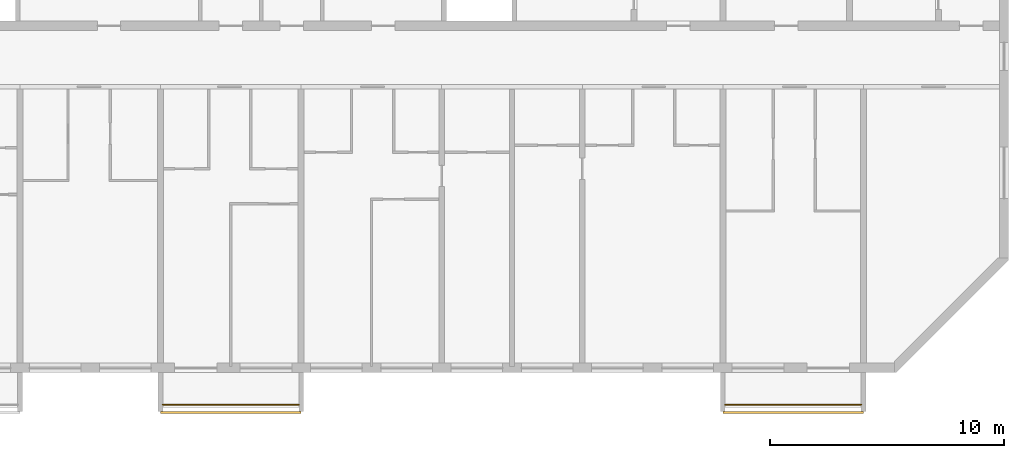
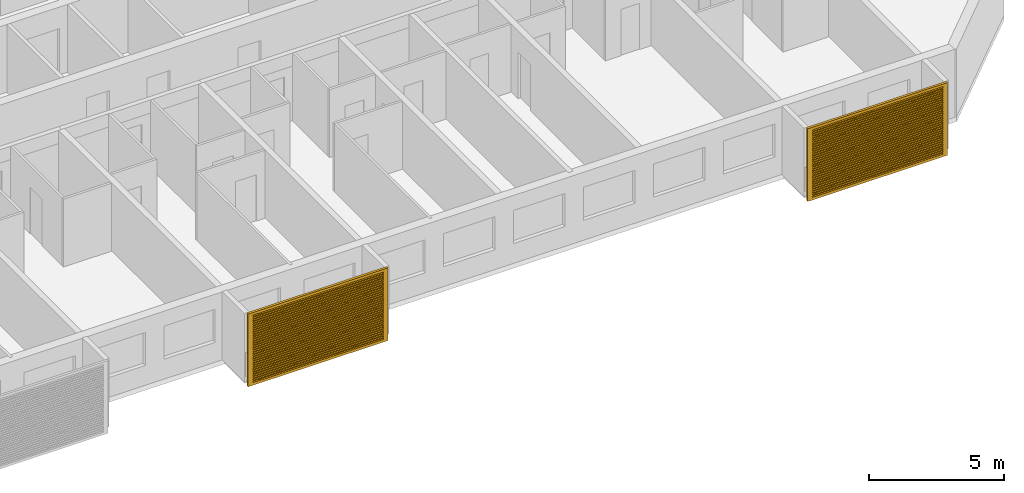
# One storey, part 14 of 27: 2 railings, 2 shading devices.
"""IFC4 building model written with IfcOpenShell, lengths in metres."""

import ifcopenshell
import ifcopenshell.guid

model = None  # the IFC model being written
_history = None  # IfcOwnerHistory: only IFC2X3 demands one
_inside = {}  # id of a spatial element -> (the spatial element, [elements in it])
_under = {}  # id of a project, library or spatial element -> (it, [spatial elements below it])
_declared = {}  # id of a project -> (the project, [libraries it declares])
_typed = {}  # id of a type object -> (the type object, [elements of that type])
_made_of = {}  # id of a material, layer set ... -> (it, [elements and type objects made of it])


def new_model(schema):
    """Start an empty IFC model of exactly this schema.

    Asked for "IFC4X3", IfcOpenShell would pick the latest addendum, in which some entities
    have other attributes; the version numbers below select the first issue.
    IFC2X3 requires an IfcOwnerHistory on every rooted entity: one is made here for all.
    """
    global model, _history
    if schema == "IFC4X3":
        model = ifcopenshell.file(schema_version=(4, 3, 0, 0))
    else:
        model = ifcopenshell.file(schema=schema)
    _inside.clear()
    _under.clear()
    _declared.clear()
    _typed.clear()
    _made_of.clear()
    _history = None
    if model.schema == "IFC2X3":
        org = make("IfcOrganization", Name="unknown")
        user = make(
            "IfcPersonAndOrganization",
            ThePerson=make("IfcPerson", FamilyName="unknown"),
            TheOrganization=org,
        )
        app = make(
            "IfcApplication",
            ApplicationDeveloper=org,
            Version="unknown",
            ApplicationFullName="unknown",
            ApplicationIdentifier="unknown",
        )
        _history = make(
            "IfcOwnerHistory",
            OwningUser=user,
            OwningApplication=app,
            ChangeAction="ADDED",
            CreationDate=0,
        )
    return model


def make(cls, **values):
    """One entity of the class cls with the attributes given. An attribute that is None is left unset."""
    return model.create_entity(
        cls, **{name: value for name, value in values.items() if value is not None}
    )


def rooted(cls, **values):
    """An entity with a GlobalId (a new one), such as an element, a storey or a relation."""
    return make(cls, GlobalId=ifcopenshell.guid.new(), OwnerHistory=_history, **values)


def si_unit(unit_type, name, prefix=None):
    """IfcSIUnit, for example si_unit("LENGTHUNIT", "METRE", prefix="MILLI")."""
    return make("IfcSIUnit", UnitType=unit_type, Prefix=prefix, Name=name)


def assignment(units):
    """IfcUnitAssignment: the units of a project."""
    return None if units is None else make("IfcUnitAssignment", Units=units)


def point(xyz):
    """IfcCartesianPoint."""
    return None if xyz is None else make("IfcCartesianPoint", Coordinates=xyz)


def direction(xyz):
    """IfcDirection."""
    return None if xyz is None else make("IfcDirection", DirectionRatios=xyz)


def frame(location, z_axis=None, x_axis=None):
    """IfcAxis2Placement3D, a coordinate frame: its origin and axes. An axis left out is left unset."""
    return make(
        "IfcAxis2Placement3D",
        Location=point(location),
        Axis=direction(z_axis),
        RefDirection=direction(x_axis),
    )


def frame_2d(location, x_axis=None):
    """IfcAxis2Placement2D, a coordinate frame in the plane: its origin and x axis."""
    return make(
        "IfcAxis2Placement2D", Location=point(location), RefDirection=direction(x_axis)
    )


def origin():
    """The frame at (0, 0, 0) with its axes left unset."""
    return frame((0.0, 0.0, 0.0))


def origin_2d():
    """The frame at (0, 0) in the plane with its x axis left unset."""
    return frame_2d((0.0, 0.0))


def place(relative_to, where):
    """IfcLocalPlacement: puts the frame where relative to a parent placement (None: the world)."""
    return make(
        "IfcLocalPlacement", PlacementRelTo=relative_to, RelativePlacement=where
    )


def context(
    kind, dimensions, precision=None, world=None, true_north=None, identifier=None
):
    """IfcGeometricRepresentationContext, for example the 3D "Model" context."""
    return make(
        "IfcGeometricRepresentationContext",
        ContextIdentifier=identifier,
        ContextType=kind,
        CoordinateSpaceDimension=dimensions,
        Precision=precision,
        WorldCoordinateSystem=world,
        TrueNorth=true_north,
    )


def subcontext(parent, identifier, kind, view, scale=None):
    """IfcGeometricRepresentationSubContext, for example "Body" below "Model"."""
    return make(
        "IfcGeometricRepresentationSubContext",
        ContextIdentifier=identifier,
        ContextType=kind,
        ParentContext=parent,
        TargetScale=scale,
        TargetView=view,
    )


def project(units=None, contexts=None):
    """IfcProject with its units and contexts."""
    return rooted(
        "IfcProject",
        Name="project",
        RepresentationContexts=contexts,
        UnitsInContext=assignment(units),
    )


def spatial(cls, under=None, at=None, **own):
    """A site, building, storey or space (cls), placed at a placement, below another one or the project."""
    s = rooted(cls, ObjectPlacement=at, **own)
    if under is not None:
        _under.setdefault(under.id(), (under, []))[1].append(s)
    return s


def polyline(points):
    """IfcPolyline through the points."""
    return make("IfcPolyline", Points=[point(p) for p in points])


def profile(cls, at=None, kind="AREA", **sizes):
    """A parametric profile (cls). Its sizes go by their IFC names, for example OverallWidth=200.0."""
    return make(cls, ProfileType=kind, Position=at, **sizes)


def circle(**sizes):
    """IfcCircleProfileDef."""
    return profile("IfcCircleProfileDef", **sizes)


def outline(outer, holes=None, kind="AREA"):
    """IfcArbitraryClosedProfileDef: a profile drawn as a closed curve; with holes, ...WithVoids."""
    if holes is None:
        return make("IfcArbitraryClosedProfileDef", ProfileType=kind, OuterCurve=outer)
    return make(
        "IfcArbitraryProfileDefWithVoids",
        ProfileType=kind,
        OuterCurve=outer,
        InnerCurves=holes,
    )


def extrude(swept, where, along, depth):
    """IfcExtrudedAreaSolid: the profile swept, set in the frame where, extruded along a direction by depth."""
    return make(
        "IfcExtrudedAreaSolid",
        SweptArea=swept,
        Position=where,
        ExtrudedDirection=direction(along),
        Depth=depth,
    )


def shape(context_of_items, identifier, shape_type, items):
    """IfcShapeRepresentation: the items that make up one representation, for example the "Body"."""
    return make(
        "IfcShapeRepresentation",
        ContextOfItems=context_of_items,
        RepresentationIdentifier=identifier,
        RepresentationType=shape_type,
        Items=items,
    )


def source(mapping_origin, context_of_items, identifier, shape_type, items):
    """IfcRepresentationMap: a shape defined once, which mapped items show again and again."""
    return make(
        "IfcRepresentationMap",
        MappingOrigin=mapping_origin,
        MappedRepresentation=shape(context_of_items, identifier, shape_type, items),
    )


def transform(
    local_origin,
    x_axis=None,
    y_axis=None,
    z_axis=None,
    scale=None,
    scale2=None,
    scale3=None,
    uniform=True,
):
    """IfcCartesianTransformationOperator3D, or its non-uniform kind. x_axis, y_axis, z_axis: its Axis1, 2, 3."""
    if uniform:
        return make(
            "IfcCartesianTransformationOperator3D",
            Axis1=direction(x_axis),
            Axis2=direction(y_axis),
            LocalOrigin=point(local_origin),
            Scale=scale,
            Axis3=direction(z_axis),
        )
    return make(
        "IfcCartesianTransformationOperator3DnonUniform",
        Axis1=direction(x_axis),
        Axis2=direction(y_axis),
        LocalOrigin=point(local_origin),
        Scale=scale,
        Axis3=direction(z_axis),
        Scale2=scale2,
        Scale3=scale3,
    )


def mapped(mapping_source, mapping_target):
    """IfcMappedItem: shows the shape of a source again, moved by a transform."""
    return make(
        "IfcMappedItem", MappingSource=mapping_source, MappingTarget=mapping_target
    )


def material(Name=None, Category=None):
    """IfcMaterial."""
    return make("IfcMaterial", Name=Name, Category=Category)


def material_profile(
    of_material, cross_section, Name=None, Category=None, Priority=None
):
    """IfcMaterialProfile: a cross section and its material."""
    return make(
        "IfcMaterialProfile",
        Name=Name,
        Material=of_material,
        Profile=cross_section,
        Priority=Priority,
        Category=Category,
    )


def profile_set(profiles, Name=None, composite=None):
    """IfcMaterialProfileSet."""
    return make(
        "IfcMaterialProfileSet",
        Name=Name,
        MaterialProfiles=profiles,
        CompositeProfile=composite,
    )


def made_of(thing, what):
    """Note that an element or type object is made of a material, layer set ...; save() writes the relation."""
    if what is not None:
        _made_of.setdefault(what.id(), (what, []))[1].append(thing)
    return thing


def type_object(cls, material=None, **own):
    """A type object (cls), such as IfcWallType, which elements share."""
    return made_of(rooted(cls, **own), material)


def element(
    cls,
    number,
    at=None,
    inside=None,
    cuts=None,
    type_object=None,
    material=None,
    context=None,
    identifier="Body",
    shape_type=None,
    held_by="IfcProductDefinitionShape",
    body=None,
    shapes=None,
    **own,
):
    """One element of the class cls, such as IfcWall. Its Tag is "e" and its number.

    at: its placement. inside: the storey or other place that contains it. cuts: it is an
    opening in that element (IfcRelVoidsElement). A single representation is given by context,
    identifier, shape_type and body (its items); several are given by shapes. held_by: the class
    of the entity that holds the representations. save() writes the other relations.
    """
    e = rooted(cls, Tag="e%d" % number, ObjectPlacement=at, **own)
    if body is not None:
        shapes = [shape(context, identifier, shape_type, body)]
    if shapes is not None:
        e.Representation = make(held_by, Representations=shapes)
    if inside is not None:
        _inside.setdefault(inside.id(), (inside, []))[1].append(e)
    if cuts is not None:
        rooted(
            "IfcRelVoidsElement", RelatingBuildingElement=cuts, RelatedOpeningElement=e
        )
    if type_object is not None:
        _typed.setdefault(type_object.id(), (type_object, []))[1].append(e)
    return made_of(e, material)


def aggregate(whole, parts):
    """IfcRelAggregates: a whole, such as a stair, and the parts it consists of."""
    return rooted("IfcRelAggregates", RelatingObject=whole, RelatedObjects=parts)


def save(model, path):
    """Write the relations noted so far, then the file.

    IfcRelAggregates (storeys below a building ...), IfcRelContainedInSpatialStructure (elements
    in a storey), IfcRelDefinesByType, IfcRelAssociatesMaterial and IfcRelDeclares: one each for
    every whole, place, type object, material and project.
    """
    for whole, parts in _under.values():
        aggregate(whole, parts)
    for where, things in _inside.values():
        rooted(
            "IfcRelContainedInSpatialStructure",
            RelatedElements=things,
            RelatingStructure=where,
        )
    for kind, things in _typed.values():
        rooted("IfcRelDefinesByType", RelatedObjects=things, RelatingType=kind)
    for what, things in _made_of.values():
        rooted("IfcRelAssociatesMaterial", RelatedObjects=things, RelatingMaterial=what)
    for by, libraries in _declared.values():
        rooted("IfcRelDeclares", RelatingContext=by, RelatedDefinitions=libraries)
    model.write(path)


model = new_model("IFC4")

# Units and contexts
model_context = context("Model", 3, precision=1e-05, world=origin(), true_north=direction((0.0, 1.0)))
body_context = subcontext(model_context, "Body", "Model", "MODEL_VIEW")
ifc_project = project(units=[si_unit("LENGTHUNIT", "METRE"), si_unit("AREAUNIT", "SQUARE_METRE"), si_unit("VOLUMEUNIT", "CUBIC_METRE"), si_unit("PLANEANGLEUNIT", "RADIAN"), si_unit("MASSUNIT", "GRAM", prefix="KILO")], contexts=[model_context])

# Site, building, storey
site_placement = place(None, origin())
site = spatial("IfcSite", under=ifc_project, at=site_placement, CompositionType="ELEMENT")
building_placement = place(site_placement, origin())
building = spatial("IfcBuilding", under=site, at=building_placement, Name="Poui Terraces", CompositionType="ELEMENT")
storey_placement = place(building_placement, frame((0.0, 0.0, 201.60009765625)))
storey = spatial("IfcBuildingStorey", under=building, at=storey_placement, Name="L56", CompositionType="ELEMENT", Elevation=201.60009765625)

# Railings
ifc_material_1 = material(Name="Painted steel fretwork", Category="steel")
railing_type = type_object("IfcRailingType", Name="BALCONY GUARD 1100", PredefinedType="GUARDRAIL", material=ifc_material_1)
for number, where, name in (
    (1, (48.10009765625, -1.570068359375, 0.0), "BALCONY GUARD"),
    (2, (72.10009765625, -1.570068359375, 0.0), "BALCONY GUARD"),
):
    element("IfcRailing", number, at=place(storey_placement, frame(where)), inside=storey, type_object=railing_type, Name=name, PredefinedType="GUARDRAIL", context=body_context, shape_type="SweptSolid", body=[
        extrude(circle(Radius=0.02392578125, at=origin_2d()), frame((0.0, 0.0, 1.076171875), z_axis=(1.0, 0.0, 0.0), x_axis=(0.0, 1.0, 0.0)), (0.0, 0.0, 1.0), 5.7998046875),
        extrude(circle(Radius=0.02099609375, at=origin_2d()), origin(), (0.0, 0.0, 1.0), 1.052001953125),
        extrude(circle(Radius=0.02099609375, at=origin_2d()), frame((0.966552734375, 0.0, 0.0)), (0.0, 0.0, 1.0), 1.052001953125),
        extrude(circle(Radius=0.02099609375, at=origin_2d()), frame((1.933349609375, 0.0, 0.0)), (0.0, 0.0, 1.0), 1.052001953125),
        extrude(circle(Radius=0.02099609375, at=origin_2d()), frame((2.89990234375, 0.0, 0.0)), (0.0, 0.0, 1.0), 1.052001953125),
        extrude(circle(Radius=0.02099609375, at=origin_2d()), frame((3.866455078125, 0.0, 0.0)), (0.0, 0.0, 1.0), 1.052001953125),
        extrude(circle(Radius=0.02099609375, at=origin_2d()), frame((4.833251953125, 0.0, 0.0)), (0.0, 0.0, 1.0), 1.052001953125),
        extrude(circle(Radius=0.02099609375, at=origin_2d()), frame((5.7998046875, 0.0, 0.0)), (0.0, 0.0, 1.0), 1.052001953125),
    ])

# Shading devices
ifc_material_2 = material(Name="Aluminium louvre", Category="aluminium")
ifc_material_profile = material_profile(ifc_material_2, outline(polyline([(-3.0, -1.64990234375), (3.0, -1.64990234375), (3.0, 1.64990234375), (-3.0, 1.64990234375), (-3.0, -1.64990234375)]), holes=[polyline([(-2.800048828125, -1.530029296875), (2.800048828125, -1.530029296875), (2.800048828125, -1.469970703125), (-2.800048828125, -1.469970703125), (-2.800048828125, -1.530029296875)]), polyline([(-2.800048828125, -1.429931640625), (2.800048828125, -1.429931640625), (2.800048828125, -1.3701171875), (-2.800048828125, -1.3701171875), (-2.800048828125, -1.429931640625)]), polyline([(-2.800048828125, -1.330078125), (2.800048828125, -1.330078125), (2.800048828125, -1.27001953125), (-2.800048828125, -1.27001953125), (-2.800048828125, -1.330078125)]), polyline([(-2.800048828125, -1.22998046875), (2.800048828125, -1.22998046875), (2.800048828125, -1.169921875), (-2.800048828125, -1.169921875), (-2.800048828125, -1.22998046875)]), polyline([(-2.800048828125, -1.1298828125), (2.800048828125, -1.1298828125), (2.800048828125, -1.070068359375), (-2.800048828125, -1.070068359375), (-2.800048828125, -1.1298828125)]), polyline([(-2.800048828125, -1.030029296875), (2.800048828125, -1.030029296875), (2.800048828125, -0.969970703125), (-2.800048828125, -0.969970703125), (-2.800048828125, -1.030029296875)]), polyline([(-2.800048828125, -0.929931640625), (2.800048828125, -0.929931640625), (2.800048828125, -0.8701171875), (-2.800048828125, -0.8701171875), (-2.800048828125, -0.929931640625)]), polyline([(-2.800048828125, -0.830078125), (2.800048828125, -0.830078125), (2.800048828125, -0.77001953125), (-2.800048828125, -0.77001953125), (-2.800048828125, -0.830078125)]), polyline([(-2.800048828125, -0.72998046875), (2.800048828125, -0.72998046875), (2.800048828125, -0.669921875), (-2.800048828125, -0.669921875), (-2.800048828125, -0.72998046875)]), polyline([(-2.800048828125, -0.6298828125), (2.800048828125, -0.6298828125), (2.800048828125, -0.570068359375), (-2.800048828125, -0.570068359375), (-2.800048828125, -0.6298828125)]), polyline([(-2.800048828125, -0.530029296875), (2.800048828125, -0.530029296875), (2.800048828125, -0.469970703125), (-2.800048828125, -0.469970703125), (-2.800048828125, -0.530029296875)]), polyline([(-2.800048828125, -0.429931640625), (2.800048828125, -0.429931640625), (2.800048828125, -0.3701171875), (-2.800048828125, -0.3701171875), (-2.800048828125, -0.429931640625)]), polyline([(-2.800048828125, -0.330078125), (2.800048828125, -0.330078125), (2.800048828125, -0.27001953125), (-2.800048828125, -0.27001953125), (-2.800048828125, -0.330078125)]), polyline([(-2.800048828125, -0.22998046875), (2.800048828125, -0.22998046875), (2.800048828125, -0.169921875), (-2.800048828125, -0.169921875), (-2.800048828125, -0.22998046875)]), polyline([(-2.800048828125, -0.1298828125), (2.800048828125, -0.1298828125), (2.800048828125, -0.070068359375), (-2.800048828125, -0.070068359375), (-2.800048828125, -0.1298828125)]), polyline([(-2.800048828125, -0.030029296875), (2.800048828125, -0.030029296875), (2.800048828125, 0.030029296875), (-2.800048828125, 0.030029296875), (-2.800048828125, -0.030029296875)]), polyline([(-2.800048828125, 0.070068359375), (2.800048828125, 0.070068359375), (2.800048828125, 0.1298828125), (-2.800048828125, 0.1298828125), (-2.800048828125, 0.070068359375)]), polyline([(-2.800048828125, 0.169921875), (2.800048828125, 0.169921875), (2.800048828125, 0.22998046875), (-2.800048828125, 0.22998046875), (-2.800048828125, 0.169921875)]), polyline([(-2.800048828125, 0.27001953125), (2.800048828125, 0.27001953125), (2.800048828125, 0.330078125), (-2.800048828125, 0.330078125), (-2.800048828125, 0.27001953125)]), polyline([(-2.800048828125, 0.3701171875), (2.800048828125, 0.3701171875), (2.800048828125, 0.429931640625), (-2.800048828125, 0.429931640625), (-2.800048828125, 0.3701171875)]), polyline([(-2.800048828125, 0.469970703125), (2.800048828125, 0.469970703125), (2.800048828125, 0.530029296875), (-2.800048828125, 0.530029296875), (-2.800048828125, 0.469970703125)]), polyline([(-2.800048828125, 0.570068359375), (2.800048828125, 0.570068359375), (2.800048828125, 0.6298828125), (-2.800048828125, 0.6298828125), (-2.800048828125, 0.570068359375)]), polyline([(-2.800048828125, 0.669921875), (2.800048828125, 0.669921875), (2.800048828125, 0.72998046875), (-2.800048828125, 0.72998046875), (-2.800048828125, 0.669921875)]), polyline([(-2.800048828125, 0.77001953125), (2.800048828125, 0.77001953125), (2.800048828125, 0.830078125), (-2.800048828125, 0.830078125), (-2.800048828125, 0.77001953125)]), polyline([(-2.800048828125, 0.8701171875), (2.800048828125, 0.8701171875), (2.800048828125, 0.929931640625), (-2.800048828125, 0.929931640625), (-2.800048828125, 0.8701171875)]), polyline([(-2.800048828125, 0.969970703125), (2.800048828125, 0.969970703125), (2.800048828125, 1.030029296875), (-2.800048828125, 1.030029296875), (-2.800048828125, 0.969970703125)]), polyline([(-2.800048828125, 1.070068359375), (2.800048828125, 1.070068359375), (2.800048828125, 1.1298828125), (-2.800048828125, 1.1298828125), (-2.800048828125, 1.070068359375)]), polyline([(-2.800048828125, 1.169921875), (2.800048828125, 1.169921875), (2.800048828125, 1.22998046875), (-2.800048828125, 1.22998046875), (-2.800048828125, 1.169921875)]), polyline([(-2.800048828125, 1.27001953125), (2.800048828125, 1.27001953125), (2.800048828125, 1.330078125), (-2.800048828125, 1.330078125), (-2.800048828125, 1.27001953125)]), polyline([(-2.800048828125, 1.3701171875), (2.800048828125, 1.3701171875), (2.800048828125, 1.429931640625), (-2.800048828125, 1.429931640625), (-2.800048828125, 1.3701171875)]), polyline([(-2.800048828125, 1.469970703125), (2.800048828125, 1.469970703125), (2.800048828125, 1.530029296875), (-2.800048828125, 1.530029296875), (-2.800048828125, 1.469970703125)])]), Name="JALOUSIE LOUVRE SHUTTER 6000X3300")
ifc_profile_set = profile_set([ifc_material_profile], Name="Aluminium louvre")
shading_device_type = type_object("IfcShadingDeviceType", Name="JALOUSIE LOUVRE SHUTTER 6000X3300", PredefinedType="JALOUSIE", material=ifc_profile_set)
shared_shape = source(origin(), body_context, "Body", "SweptSolid", [
    extrude(outline(polyline([(-3.0, -1.64990234375), (3.0, -1.64990234375), (3.0, 1.64990234375), (-3.0, 1.64990234375), (-3.0, -1.64990234375)]), holes=[polyline([(-2.800048828125, -1.530029296875), (2.800048828125, -1.530029296875), (2.800048828125, -1.469970703125), (-2.800048828125, -1.469970703125), (-2.800048828125, -1.530029296875)]), polyline([(-2.800048828125, -1.429931640625), (2.800048828125, -1.429931640625), (2.800048828125, -1.3701171875), (-2.800048828125, -1.3701171875), (-2.800048828125, -1.429931640625)]), polyline([(-2.800048828125, -1.330078125), (2.800048828125, -1.330078125), (2.800048828125, -1.27001953125), (-2.800048828125, -1.27001953125), (-2.800048828125, -1.330078125)]), polyline([(-2.800048828125, -1.22998046875), (2.800048828125, -1.22998046875), (2.800048828125, -1.169921875), (-2.800048828125, -1.169921875), (-2.800048828125, -1.22998046875)]), polyline([(-2.800048828125, -1.1298828125), (2.800048828125, -1.1298828125), (2.800048828125, -1.070068359375), (-2.800048828125, -1.070068359375), (-2.800048828125, -1.1298828125)]), polyline([(-2.800048828125, -1.030029296875), (2.800048828125, -1.030029296875), (2.800048828125, -0.969970703125), (-2.800048828125, -0.969970703125), (-2.800048828125, -1.030029296875)]), polyline([(-2.800048828125, -0.929931640625), (2.800048828125, -0.929931640625), (2.800048828125, -0.8701171875), (-2.800048828125, -0.8701171875), (-2.800048828125, -0.929931640625)]), polyline([(-2.800048828125, -0.830078125), (2.800048828125, -0.830078125), (2.800048828125, -0.77001953125), (-2.800048828125, -0.77001953125), (-2.800048828125, -0.830078125)]), polyline([(-2.800048828125, -0.72998046875), (2.800048828125, -0.72998046875), (2.800048828125, -0.669921875), (-2.800048828125, -0.669921875), (-2.800048828125, -0.72998046875)]), polyline([(-2.800048828125, -0.6298828125), (2.800048828125, -0.6298828125), (2.800048828125, -0.570068359375), (-2.800048828125, -0.570068359375), (-2.800048828125, -0.6298828125)]), polyline([(-2.800048828125, -0.530029296875), (2.800048828125, -0.530029296875), (2.800048828125, -0.469970703125), (-2.800048828125, -0.469970703125), (-2.800048828125, -0.530029296875)]), polyline([(-2.800048828125, -0.429931640625), (2.800048828125, -0.429931640625), (2.800048828125, -0.3701171875), (-2.800048828125, -0.3701171875), (-2.800048828125, -0.429931640625)]), polyline([(-2.800048828125, -0.330078125), (2.800048828125, -0.330078125), (2.800048828125, -0.27001953125), (-2.800048828125, -0.27001953125), (-2.800048828125, -0.330078125)]), polyline([(-2.800048828125, -0.22998046875), (2.800048828125, -0.22998046875), (2.800048828125, -0.169921875), (-2.800048828125, -0.169921875), (-2.800048828125, -0.22998046875)]), polyline([(-2.800048828125, -0.1298828125), (2.800048828125, -0.1298828125), (2.800048828125, -0.070068359375), (-2.800048828125, -0.070068359375), (-2.800048828125, -0.1298828125)]), polyline([(-2.800048828125, -0.030029296875), (2.800048828125, -0.030029296875), (2.800048828125, 0.030029296875), (-2.800048828125, 0.030029296875), (-2.800048828125, -0.030029296875)]), polyline([(-2.800048828125, 0.070068359375), (2.800048828125, 0.070068359375), (2.800048828125, 0.1298828125), (-2.800048828125, 0.1298828125), (-2.800048828125, 0.070068359375)]), polyline([(-2.800048828125, 0.169921875), (2.800048828125, 0.169921875), (2.800048828125, 0.22998046875), (-2.800048828125, 0.22998046875), (-2.800048828125, 0.169921875)]), polyline([(-2.800048828125, 0.27001953125), (2.800048828125, 0.27001953125), (2.800048828125, 0.330078125), (-2.800048828125, 0.330078125), (-2.800048828125, 0.27001953125)]), polyline([(-2.800048828125, 0.3701171875), (2.800048828125, 0.3701171875), (2.800048828125, 0.429931640625), (-2.800048828125, 0.429931640625), (-2.800048828125, 0.3701171875)]), polyline([(-2.800048828125, 0.469970703125), (2.800048828125, 0.469970703125), (2.800048828125, 0.530029296875), (-2.800048828125, 0.530029296875), (-2.800048828125, 0.469970703125)]), polyline([(-2.800048828125, 0.570068359375), (2.800048828125, 0.570068359375), (2.800048828125, 0.6298828125), (-2.800048828125, 0.6298828125), (-2.800048828125, 0.570068359375)]), polyline([(-2.800048828125, 0.669921875), (2.800048828125, 0.669921875), (2.800048828125, 0.72998046875), (-2.800048828125, 0.72998046875), (-2.800048828125, 0.669921875)]), polyline([(-2.800048828125, 0.77001953125), (2.800048828125, 0.77001953125), (2.800048828125, 0.830078125), (-2.800048828125, 0.830078125), (-2.800048828125, 0.77001953125)]), polyline([(-2.800048828125, 0.8701171875), (2.800048828125, 0.8701171875), (2.800048828125, 0.929931640625), (-2.800048828125, 0.929931640625), (-2.800048828125, 0.8701171875)]), polyline([(-2.800048828125, 0.969970703125), (2.800048828125, 0.969970703125), (2.800048828125, 1.030029296875), (-2.800048828125, 1.030029296875), (-2.800048828125, 0.969970703125)]), polyline([(-2.800048828125, 1.070068359375), (2.800048828125, 1.070068359375), (2.800048828125, 1.1298828125), (-2.800048828125, 1.1298828125), (-2.800048828125, 1.070068359375)]), polyline([(-2.800048828125, 1.169921875), (2.800048828125, 1.169921875), (2.800048828125, 1.22998046875), (-2.800048828125, 1.22998046875), (-2.800048828125, 1.169921875)]), polyline([(-2.800048828125, 1.27001953125), (2.800048828125, 1.27001953125), (2.800048828125, 1.330078125), (-2.800048828125, 1.330078125), (-2.800048828125, 1.27001953125)]), polyline([(-2.800048828125, 1.3701171875), (2.800048828125, 1.3701171875), (2.800048828125, 1.429931640625), (-2.800048828125, 1.429931640625), (-2.800048828125, 1.3701171875)]), polyline([(-2.800048828125, 1.469970703125), (2.800048828125, 1.469970703125), (2.800048828125, 1.530029296875), (-2.800048828125, 1.530029296875), (-2.800048828125, 1.469970703125)])]), origin(), (0.0, 0.0, 1.0), 0.099853515625),
])
for number, where, z_axis, x_axis, name in (
    (3, (51.0, -1.85009765625, 1.449951171875), (0.0, -1.0, 0.0), (1.0, 0.0, 0.0), "JALOUSIE LOUVRE SHUTTER"),
    (4, (75.0, -1.85009765625, 1.449951171875), (0.0, -1.0, 0.0), (1.0, 0.0, 0.0), "JALOUSIE LOUVRE SHUTTER"),
):
    element("IfcShadingDevice", number, at=place(storey_placement, frame(where, z_axis=z_axis, x_axis=x_axis)), inside=storey, type_object=shading_device_type, Name=name, PredefinedType="JALOUSIE", context=body_context, shape_type="MappedRepresentation", body=[
        mapped(shared_shape, transform((0.0, 0.0, 0.0))),
    ])

save(model, "model.ifc")
